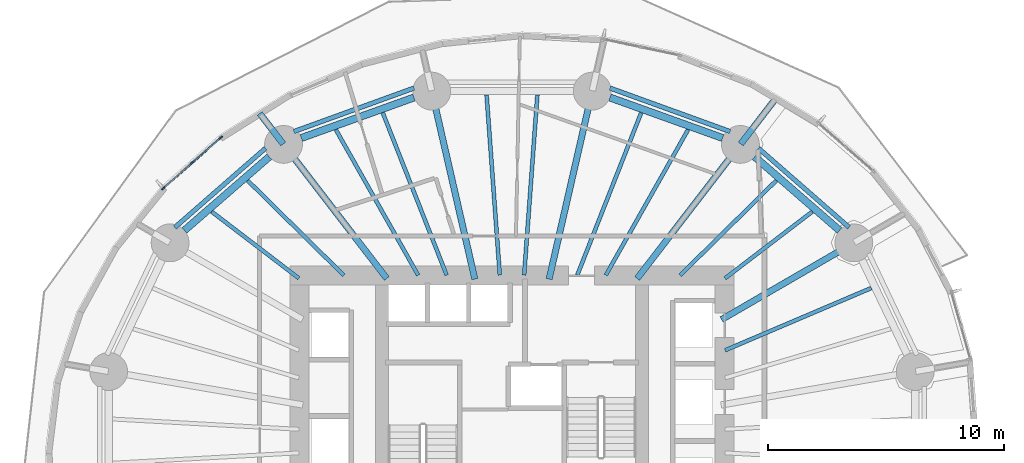
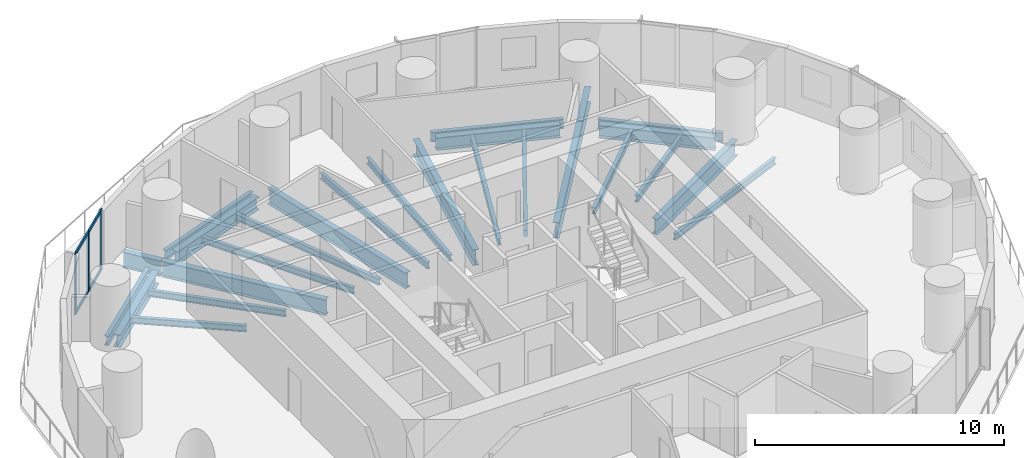
# One storey, part 4 of 13: 26 beams, 7 members, 1 element without a shape of its own.
"""IFC4 building model written with IfcOpenShell, lengths in metres."""

from ifc_helpers import new_model, si_unit, direction, frame, origin, origin_2d, place, context, subcontext, project, spatial, rectangle, i_section, extrude, material, material_profile, profile_set, type_object, element, aggregate, save


model = new_model("IFC4")

# Units and contexts
model_context = context("Model", 3, precision=1e-05, world=origin(), true_north=direction((0.0, 1.0)))
body_context = subcontext(model_context, "Body", "Model", "MODEL_VIEW")
ifc_project = project(units=[si_unit("LENGTHUNIT", "METRE"), si_unit("AREAUNIT", "SQUARE_METRE"), si_unit("VOLUMEUNIT", "CUBIC_METRE"), si_unit("PLANEANGLEUNIT", "RADIAN"), si_unit("MASSUNIT", "GRAM", prefix="KILO")], contexts=[model_context])

# Site, building, storey
site_placement = place(None, origin())
site = spatial("IfcSite", under=ifc_project, at=site_placement, CompositionType="ELEMENT")
building_placement = place(site_placement, origin())
building = spatial("IfcBuilding", under=site, at=building_placement, Name="Veldorim Arch Residences", CompositionType="ELEMENT")
storey_placement = place(building_placement, frame((0.0, 0.0, 44.0)))
storey = spatial("IfcBuildingStorey", under=building, at=storey_placement, Name="L12", CompositionType="ELEMENT", Elevation=44.0)

# Beams
ifc_material_1 = material(Name="Steel S355", Category="steel")
ifc_material_profile_1 = material_profile(ifc_material_1, i_section(OverallWidth=0.30712890625, OverallDepth=0.6201171875, WebThickness=0.01416015625, FlangeThickness=0.023681640625, at=origin_2d()), Name="UB610x305x179")
ifc_profile_set_1 = profile_set([ifc_material_profile_1], Name="Steel S355")
beam_type_1 = type_object("IfcBeamType", Name="Structural Steel Beam UB610x305x179", PredefinedType="BEAM", material=ifc_profile_set_1)
beam_1_placement = place(storey_placement, frame((45.86328125, 32.913330078125, -0.550048828125), z_axis=(-0.755235029424, 0.655454079499, 0.0), x_axis=(-0.655454079499, -0.755235029424, 0.0)))
element("IfcBeam", 1, at=beam_1_placement, inside=storey, type_object=beam_type_1, Name="L12 perimeter ring tie beam 02", PredefinedType="BEAM", context=body_context, shape_type="SweptSolid", body=[
    extrude(i_section(OverallWidth=0.30712890625, OverallDepth=0.6201171875, WebThickness=0.01416015625, FlangeThickness=0.023681640625, at=origin_2d()), origin(), (0.0, 0.0, 1.0), 4.756591796875),
])
for number, where, z_axis, x_axis, name in (
    (2, (40.9140625, 36.82568359375, -0.550048828125), (-0.94103540046, 0.338308106732, 0.0), (-0.338308106732, -0.94103540046, 0.0), "L12 perimeter ring tie beam 03"),
    (3, (27.8525390625, 38.539306640625, -0.550048828125), (-0.94103540046, -0.338308106732, 0.0), (0.338308106732, -0.94103540046, 0.0), "L12 perimeter ring tie beam 05"),
):
    element("IfcBeam", number, at=place(storey_placement, frame(where, z_axis=z_axis, x_axis=x_axis)), inside=storey, type_object=beam_type_1, Name=name, PredefinedType="BEAM", context=body_context, shape_type="SweptSolid", body=[
        extrude(i_section(OverallWidth=0.30712890625, OverallDepth=0.6201171875, WebThickness=0.01416015625, FlangeThickness=0.023681640625, at=origin_2d()), origin(), (0.0, 0.0, 1.0), 5.065185546875),
    ])
beam_2_placement = place(storey_placement, frame((21.72900390625, 36.031005859375, -0.550048828125), z_axis=(-0.755235029424, -0.655454079499, 0.0), x_axis=(0.655454079499, -0.755235029424, 0.0)))
element("IfcBeam", 4, at=beam_2_placement, inside=storey, type_object=beam_type_1, Name="L12 perimeter ring tie beam 06", PredefinedType="BEAM", context=body_context, shape_type="SweptSolid", body=[
    extrude(i_section(OverallWidth=0.30712890625, OverallDepth=0.6201171875, WebThickness=0.01416015625, FlangeThickness=0.023681640625, at=origin_2d()), origin(), (0.0, 0.0, 1.0), 4.756591796875),
])
ifc_material_2 = material(Name="Steel S355", Category="steel")
ifc_material_profile_2 = material_profile(ifc_material_2, i_section(OverallWidth=0.26806640625, OverallDepth=0.769775390625, WebThickness=0.015625, FlangeThickness=0.025390625, at=origin_2d()), Name="UB762x267x197")
ifc_profile_set_2 = profile_set([ifc_material_profile_2], Name="Steel S355")
beam_type_2 = type_object("IfcBeamType", Name="Structural Steel GIRDER UB762x267x197", PredefinedType="USERDEFINED", material=ifc_profile_set_2)
beam_3_placement = place(storey_placement, frame((40.8701171875, 29.1435546875, -0.625), z_axis=(0.865088348752, 0.501619525989, 0.0), x_axis=(-0.501619525989, 0.865088348752, 0.0)))
element("IfcBeam", 5, at=beam_3_placement, inside=storey, type_object=beam_type_2, Name="L12 radial floor girder 02", ObjectType="GIRDER", PredefinedType="USERDEFINED", context=body_context, shape_type="SweptSolid", body=[
    extrude(i_section(OverallWidth=0.26806640625, OverallDepth=0.769775390625, WebThickness=0.015625, FlangeThickness=0.025390625, at=origin_2d()), origin(), (0.0, 0.0, 1.0), 6.4501953125),
])
beam_4_placement = place(storey_placement, frame((37.298095703125, 30.881103515625, -0.625), z_axis=(0.610082439157, 0.792337943956, 0.0), x_axis=(-0.792337943956, 0.610082439157, 0.0)))
element("IfcBeam", 6, at=beam_4_placement, inside=storey, type_object=beam_type_2, Name="L12 radial floor girder 03", ObjectType="GIRDER", PredefinedType="USERDEFINED", context=body_context, shape_type="SweptSolid", body=[
    extrude(i_section(OverallWidth=0.26806640625, OverallDepth=0.769775390625, WebThickness=0.015625, FlangeThickness=0.025390625, at=origin_2d()), origin(), (0.0, 0.0, 1.0), 7.14111328125),
])
beam_5_placement = place(storey_placement, frame((41.67919921875, 36.571044921875, -0.625), z_axis=(0.609999263859, 0.792401980116, 0.0), x_axis=(-0.792401980116, 0.609999263859, 0.0)))
element("IfcBeam", 7, at=beam_5_placement, inside=storey, type_object=beam_type_2, Name="L12 radial edge cantilever girder 03", ObjectType="GIRDER", PredefinedType="USERDEFINED", context=body_context, shape_type="SweptSolid", body=[
    extrude(i_section(OverallWidth=0.26806640625, OverallDepth=0.769775390625, WebThickness=0.015625, FlangeThickness=0.025390625, at=origin_2d()), origin(), (0.0, 0.0, 1.0), 2.453369140625),
])
for number, where, z_axis, x_axis, name in (
    (8, (33.571044921875, 30.853759765625, -0.625), (0.223411766201, 0.974724157248, 0.0), (-0.974724157248, 0.223411766201, 0.0), "L12 radial floor girder 04"),
    (9, (30.428955078125, 30.853759765625, -0.625), (-0.223411766201, 0.974724157248, 0.0), (-0.974724157248, -0.223411766201, 0.0), "L12 radial floor girder 05"),
):
    element("IfcBeam", number, at=place(storey_placement, frame(where, z_axis=z_axis, x_axis=x_axis)), inside=storey, type_object=beam_type_2, Name=name, ObjectType="GIRDER", PredefinedType="USERDEFINED", context=body_context, shape_type="SweptSolid", body=[
        extrude(i_section(OverallWidth=0.26806640625, OverallDepth=0.769775390625, WebThickness=0.015625, FlangeThickness=0.025390625, at=origin_2d()), origin(), (0.0, 0.0, 1.0), 8.142333984375),
    ])
beam_6_placement = place(storey_placement, frame((26.701904296875, 30.881103515625, -0.625), z_axis=(-0.610082439157, 0.792337943956, 0.0), x_axis=(-0.792337943956, -0.610082439157, 0.0)))
element("IfcBeam", 10, at=beam_6_placement, inside=storey, type_object=beam_type_2, Name="L12 radial floor girder 06", ObjectType="GIRDER", PredefinedType="USERDEFINED", context=body_context, shape_type="SweptSolid", body=[
    extrude(i_section(OverallWidth=0.26806640625, OverallDepth=0.769775390625, WebThickness=0.015625, FlangeThickness=0.025390625, at=origin_2d()), origin(), (0.0, 0.0, 1.0), 7.14111328125),
])
beam_7_placement = place(storey_placement, frame((22.32080078125, 36.571044921875, -0.625), z_axis=(-0.610020580693, 0.792385569739, 0.0), x_axis=(-0.792385569739, -0.610020580693, 0.0)))
element("IfcBeam", 11, at=beam_7_placement, inside=storey, type_object=beam_type_2, Name="L12 radial edge cantilever girder 06", ObjectType="GIRDER", PredefinedType="USERDEFINED", context=body_context, shape_type="SweptSolid", body=[
    extrude(i_section(OverallWidth=0.26806640625, OverallDepth=0.769775390625, WebThickness=0.015625, FlangeThickness=0.025390625, at=origin_2d()), origin(), (0.0, 0.0, 1.0), 1.63720703125),
])
ifc_material_3 = material(Name="Steel S355", Category="steel")
ifc_material_profile_3 = material_profile(ifc_material_3, i_section(OverallWidth=0.165771484375, OverallDepth=0.306640625, WebThickness=0.006591796875, FlangeThickness=0.01171875, at=origin_2d()), Name="UB305x165x46")
ifc_profile_set_3 = profile_set([ifc_material_profile_3], Name="Steel S355")
beam_type_3 = type_object("IfcBeamType", Name="Structural Steel Joist UB305x165x46", PredefinedType="JOIST", material=ifc_profile_set_3)
beam_8_placement = place(storey_placement, frame((41.018310546875, 27.84130859375, -0.393310546875), z_axis=(0.920032948668, 0.391841005213, 0.0), x_axis=(-0.391841005213, 0.920032948668, 0.0)))
element("IfcBeam", 12, at=beam_8_placement, inside=storey, type_object=beam_type_3, Name="L12 secondary radial floor joist 01-2", PredefinedType="JOIST", context=body_context, shape_type="SweptSolid", body=[
    extrude(i_section(OverallWidth=0.165771484375, OverallDepth=0.306640625, WebThickness=0.006591796875, FlangeThickness=0.01171875, at=origin_2d()), origin(), (0.0, 0.0, 1.0), 6.723388671875),
])
beam_9_placement = place(storey_placement, frame((41.015869140625, 30.8876953125, -0.393310546875), z_axis=(0.794666431166, 0.607046343517, 0.0), x_axis=(-0.607046343517, 0.794666431166, 0.0)))
element("IfcBeam", 13, at=beam_9_placement, inside=storey, type_object=beam_type_3, Name="L12 secondary radial floor joist 02-1", PredefinedType="JOIST", context=body_context, shape_type="SweptSolid", body=[
    extrude(i_section(OverallWidth=0.165771484375, OverallDepth=0.306640625, WebThickness=0.006591796875, FlangeThickness=0.01171875, at=origin_2d()), origin(), (0.0, 0.0, 1.0), 4.646728515625),
])
beam_10_placement = place(storey_placement, frame((39.114990234375, 31.013916015625, -0.393310546875), z_axis=(0.712129078446, 0.702048556463, 0.0), x_axis=(-0.702048556463, 0.712129078446, 0.0)))
element("IfcBeam", 14, at=beam_10_placement, inside=storey, type_object=beam_type_3, Name="L12 secondary radial floor joist 02-2", PredefinedType="JOIST", context=body_context, shape_type="SweptSolid", body=[
    extrude(i_section(OverallWidth=0.165771484375, OverallDepth=0.306640625, WebThickness=0.006591796875, FlangeThickness=0.01171875, at=origin_2d()), origin(), (0.0, 0.0, 1.0), 5.715576171875),
])
beam_11_placement = place(storey_placement, frame((35.96875, 31.017333984375, -0.393310546875), z_axis=(0.492292335352, 0.870429926274, 0.0), x_axis=(-0.870429926274, 0.492292335352, 0.0)))
element("IfcBeam", 15, at=beam_11_placement, inside=storey, type_object=beam_type_3, Name="L12 secondary radial floor joist 03-1", PredefinedType="JOIST", context=body_context, shape_type="SweptSolid", body=[
    extrude(i_section(OverallWidth=0.165771484375, OverallDepth=0.306640625, WebThickness=0.006591796875, FlangeThickness=0.01171875, at=origin_2d()), origin(), (0.0, 0.0, 1.0), 7.083251953125),
])
beam_12_placement = place(storey_placement, frame((34.762451171875, 31.0185546875, -0.393310546875), z_axis=(0.366229833858, 0.930524426758, 0.0), x_axis=(-0.930524426758, 0.366229833858, 0.0)))
element("IfcBeam", 16, at=beam_12_placement, inside=storey, type_object=beam_type_3, Name="L12 secondary radial floor joist 03-2", PredefinedType="JOIST", context=body_context, shape_type="SweptSolid", body=[
    extrude(i_section(OverallWidth=0.165771484375, OverallDepth=0.306640625, WebThickness=0.006591796875, FlangeThickness=0.01171875, at=origin_2d()), origin(), (0.0, 0.0, 1.0), 7.3896484375),
])
for number, where, z_axis, x_axis, name in (
    (17, (32.514892578125, 31.02001953125, -0.393310546875), (0.073167620373, 0.997319657547, 0.0), (-0.997319657547, 0.073167620373, 0.0), "L12 secondary radial floor joist 04-1"),
    (18, (31.485107421875, 31.02001953125, -0.393310546875), (-0.073167620373, 0.997319657547, 0.0), (-0.997319657547, -0.073167620373, 0.0), "L12 secondary radial floor joist 04-2"),
):
    element("IfcBeam", number, at=place(storey_placement, frame(where, z_axis=z_axis, x_axis=x_axis)), inside=storey, type_object=beam_type_3, Name=name, PredefinedType="JOIST", context=body_context, shape_type="SweptSolid", body=[
        extrude(i_section(OverallWidth=0.165771484375, OverallDepth=0.306640625, WebThickness=0.006591796875, FlangeThickness=0.01171875, at=origin_2d()), origin(), (0.0, 0.0, 1.0), 7.651123046875),
    ])
beam_13_placement = place(storey_placement, frame((29.237548828125, 31.0185546875, -0.393310546875), z_axis=(-0.366229833858, 0.930524426758, 0.0), x_axis=(-0.930524426758, -0.366229833858, 0.0)))
element("IfcBeam", 19, at=beam_13_placement, inside=storey, type_object=beam_type_3, Name="L12 secondary radial floor joist 05-1", PredefinedType="JOIST", context=body_context, shape_type="SweptSolid", body=[
    extrude(i_section(OverallWidth=0.165771484375, OverallDepth=0.306640625, WebThickness=0.006591796875, FlangeThickness=0.01171875, at=origin_2d()), origin(), (0.0, 0.0, 1.0), 7.3896484375),
])
beam_14_placement = place(storey_placement, frame((28.03125, 31.017333984375, -0.393310546875), z_axis=(-0.492292335352, 0.870429926274, 0.0), x_axis=(-0.870429926274, -0.492292335352, 0.0)))
element("IfcBeam", 20, at=beam_14_placement, inside=storey, type_object=beam_type_3, Name="L12 secondary radial floor joist 05-2", PredefinedType="JOIST", context=body_context, shape_type="SweptSolid", body=[
    extrude(i_section(OverallWidth=0.165771484375, OverallDepth=0.306640625, WebThickness=0.006591796875, FlangeThickness=0.01171875, at=origin_2d()), origin(), (0.0, 0.0, 1.0), 7.083251953125),
])
beam_15_placement = place(storey_placement, frame((24.885009765625, 31.013916015625, -0.393310546875), z_axis=(-0.712129078446, 0.702048556463, 0.0), x_axis=(-0.702048556463, -0.712129078446, 0.0)))
element("IfcBeam", 21, at=beam_15_placement, inside=storey, type_object=beam_type_3, Name="L12 secondary radial floor joist 06-1", PredefinedType="JOIST", context=body_context, shape_type="SweptSolid", body=[
    extrude(i_section(OverallWidth=0.165771484375, OverallDepth=0.306640625, WebThickness=0.006591796875, FlangeThickness=0.01171875, at=origin_2d()), origin(), (0.0, 0.0, 1.0), 5.715576171875),
])
beam_16_placement = place(storey_placement, frame((22.984130859375, 30.8876953125, -0.393310546875), z_axis=(-0.794666431166, 0.607046343517, 0.0), x_axis=(-0.607046343517, -0.794666431166, 0.0)))
element("IfcBeam", 22, at=beam_16_placement, inside=storey, type_object=beam_type_3, Name="L12 secondary radial floor joist 06-2", PredefinedType="JOIST", context=body_context, shape_type="SweptSolid", body=[
    extrude(i_section(OverallWidth=0.165771484375, OverallDepth=0.306640625, WebThickness=0.006591796875, FlangeThickness=0.01171875, at=origin_2d()), origin(), (0.0, 0.0, 1.0), 4.646728515625),
])
ifc_material_4 = material(Name="Steel S355", Category="steel")
ifc_material_profile_4 = material_profile(ifc_material_4, i_section(OverallWidth=0.19140625, OverallDepth=0.4599609375, WebThickness=0.010009765625, FlangeThickness=0.01611328125, at=origin_2d()), Name="UB457x191x82")
ifc_profile_set_4 = profile_set([ifc_material_profile_4], Name="Steel S355")
beam_type_4 = type_object("IfcBeamType", Name="Structural Steel Spandrel UB457x191x82", PredefinedType="SPANDREL", material=ifc_profile_set_4)
beam_17_placement = place(storey_placement, frame((46.26611328125, 33.042724609375, -0.489990234375), z_axis=(-0.753250231024, 0.65773405679, 0.0), x_axis=(-0.65773405679, -0.753250231024, 0.0)))
element("IfcBeam", 23, at=beam_17_placement, inside=storey, type_object=beam_type_4, Name="L12 perimeter chord spandrel beam 02", PredefinedType="SPANDREL", context=body_context, shape_type="SweptSolid", body=[
    extrude(i_section(OverallWidth=0.19140625, OverallDepth=0.4599609375, WebThickness=0.010009765625, FlangeThickness=0.01611328125, at=origin_2d()), origin(), (0.0, 0.0, 1.0), 5.09423828125),
])
for number, where, z_axis, x_axis, name in (
    (24, (41.23681640625, 37.095947265625, -0.489990234375), (-0.940271320222, 0.340425974873, 0.0), (-0.340425974873, -0.940271320222, 0.0), "L12 perimeter chord spandrel beam 03"),
    (25, (27.8583984375, 38.940673828125, -0.489990234375), (-0.940271320222, -0.340425974873, 0.0), (0.340425974873, -0.940271320222, 0.0), "L12 perimeter chord spandrel beam 05"),
):
    element("IfcBeam", number, at=place(storey_placement, frame(where, z_axis=z_axis, x_axis=x_axis)), inside=storey, type_object=beam_type_4, Name=name, PredefinedType="SPANDREL", context=body_context, shape_type="SweptSolid", body=[
        extrude(i_section(OverallWidth=0.19140625, OverallDepth=0.4599609375, WebThickness=0.010009765625, FlangeThickness=0.01611328125, at=origin_2d()), origin(), (0.0, 0.0, 1.0), 5.4189453125),
    ])
beam_18_placement = place(storey_placement, frame((21.571044921875, 36.393310546875, -0.489990234375), z_axis=(-0.753250231024, -0.65773405679, 0.0), x_axis=(0.65773405679, -0.753250231024, 0.0)))
element("IfcBeam", 26, at=beam_18_placement, inside=storey, type_object=beam_type_4, Name="L12 perimeter chord spandrel beam 06", PredefinedType="SPANDREL", context=body_context, shape_type="SweptSolid", body=[
    extrude(i_section(OverallWidth=0.19140625, OverallDepth=0.4599609375, WebThickness=0.010009765625, FlangeThickness=0.01611328125, at=origin_2d()), origin(), (0.0, 0.0, 1.0), 5.09423828125),
])

# Curtain wall, members
ifc_material_5 = material(Name="Aluminium", Category="aluminium")
curtain_wall_type = type_object("IfcCurtainWallType", Name="Zone 1 Acoustic Low-E Unitised Curtain Wall", PredefinedType="NOTDEFINED", material=ifc_material_5)
curtain_wall_placement = place(storey_placement, origin())
curtain_wall = element("IfcCurtainWall", 27, at=curtain_wall_placement, inside=storey, type_object=curtain_wall_type, Name="L12 unitised curtain wall bay 13", PredefinedType="NOTDEFINED")
ifc_material_6 = material(Name="Aluminium", Category="aluminium")
ifc_material_profile_5 = material_profile(ifc_material_6, rectangle(XDim=0.06494140625, YDim=0.175048828125, at=origin_2d()), Name="ALU_MUL_65x175")
ifc_profile_set_5 = profile_set([ifc_material_profile_5], Name="Aluminium")
member_type_1 = type_object("IfcMemberType", Name="Zone 1 Acoustic Low-E Unitised Curtain Wall Mullion 65x175", PredefinedType="MULLION", material=ifc_profile_set_5)
member_1_placement = place(storey_placement, frame((17.2470703125, 34.698974609375, 0.0), z_axis=(0.0, 0.0, 1.0), x_axis=(-0.661206750082, 0.750203728094, 0.0)))
member_1 = element("IfcMember", 28, at=member_1_placement, type_object=member_type_1, Name="CW-Z1 mullion 1", PredefinedType="MULLION", context=body_context, shape_type="SweptSolid", body=[
    extrude(rectangle(XDim=0.06494140625, YDim=0.175048828125, at=origin_2d()), origin(), (0.0, 0.0, 1.0), 2.9599609375),
])
member_2_placement = place(storey_placement, frame((18.4638671875, 35.771484375, 0.0), z_axis=(0.0, 0.0, 1.0), x_axis=(-0.661206750082, 0.750203728094, 0.0)))
member_2 = element("IfcMember", 29, at=member_2_placement, type_object=member_type_1, Name="CW-Z1 mullion 2", PredefinedType="MULLION", context=body_context, shape_type="SweptSolid", body=[
    extrude(rectangle(XDim=0.06494140625, YDim=0.175048828125, at=origin_2d()), origin(), (0.0, 0.0, 1.0), 2.9599609375),
])
member_3_placement = place(storey_placement, frame((19.680908203125, 36.843994140625, 0.0), z_axis=(0.0, 0.0, 1.0), x_axis=(-0.661206750082, 0.750203728094, 0.0)))
member_3 = element("IfcMember", 30, at=member_3_placement, type_object=member_type_1, Name="CW-Z1 mullion 3", PredefinedType="MULLION", context=body_context, shape_type="SweptSolid", body=[
    extrude(rectangle(XDim=0.06494140625, YDim=0.175048828125, at=origin_2d()), origin(), (0.0, 0.0, 1.0), 2.9599609375),
])
ifc_material_7 = material(Name="Aluminium", Category="aluminium")
ifc_material_profile_6 = material_profile(ifc_material_7, rectangle(XDim=0.06494140625, YDim=0.14990234375, at=origin_2d()), Name="ALU_TRN_65x150")
ifc_profile_set_6 = profile_set([ifc_material_profile_6], Name="Aluminium")
member_type_2 = type_object("IfcMemberType", Name="Zone 1 Acoustic Low-E Unitised Curtain Wall Transom 65x150", PredefinedType="USERDEFINED", material=ifc_profile_set_6)
member_4_placement = place(storey_placement, frame((17.271484375, 34.720458984375, 0.032470703125), z_axis=(0.750162665742, 0.66125333642, 0.0), x_axis=(-0.66125333642, 0.750162665742, 0.0)))
member_4 = element("IfcMember", 31, at=member_4_placement, type_object=member_type_2, Name="CW-Z1 transom 1.1", ObjectType="TRANSOM", PredefinedType="USERDEFINED", context=body_context, shape_type="SweptSolid", body=[
    extrude(rectangle(XDim=0.06494140625, YDim=0.14990234375, at=origin_2d()), origin(), (0.0, 0.0, 1.0), 1.556884765625),
])
member_5_placement = place(storey_placement, frame((17.271484375, 34.720458984375, 2.927490234375), z_axis=(0.750162665742, 0.66125333642, 0.0), x_axis=(-0.66125333642, 0.750162665742, 0.0)))
member_5 = element("IfcMember", 32, at=member_5_placement, type_object=member_type_2, Name="CW-Z1 transom 1.2", ObjectType="TRANSOM", PredefinedType="USERDEFINED", context=body_context, shape_type="SweptSolid", body=[
    extrude(rectangle(XDim=0.06494140625, YDim=0.14990234375, at=origin_2d()), origin(), (0.0, 0.0, 1.0), 1.556884765625),
])
member_6_placement = place(storey_placement, frame((18.48828125, 35.79296875, 0.032470703125), z_axis=(0.750231218258, 0.661175558494, 0.0), x_axis=(-0.661175558494, 0.750231218258, 0.0)))
member_6 = element("IfcMember", 33, at=member_6_placement, type_object=member_type_2, Name="CW-Z1 transom 2.1", ObjectType="TRANSOM", PredefinedType="USERDEFINED", context=body_context, shape_type="SweptSolid", body=[
    extrude(rectangle(XDim=0.06494140625, YDim=0.14990234375, at=origin_2d()), origin(), (0.0, 0.0, 1.0), 1.55712890625),
])
member_7_placement = place(storey_placement, frame((18.48828125, 35.79296875, 2.927490234375), z_axis=(0.750231218258, 0.661175558494, 0.0), x_axis=(-0.661175558494, 0.750231218258, 0.0)))
member_7 = element("IfcMember", 34, at=member_7_placement, type_object=member_type_2, Name="CW-Z1 transom 2.2", ObjectType="TRANSOM", PredefinedType="USERDEFINED", context=body_context, shape_type="SweptSolid", body=[
    extrude(rectangle(XDim=0.06494140625, YDim=0.14990234375, at=origin_2d()), origin(), (0.0, 0.0, 1.0), 1.55712890625),
])
aggregate(curtain_wall, [member_1, member_2, member_3, member_4, member_5, member_6, member_7])

save(model, "model.ifc")
